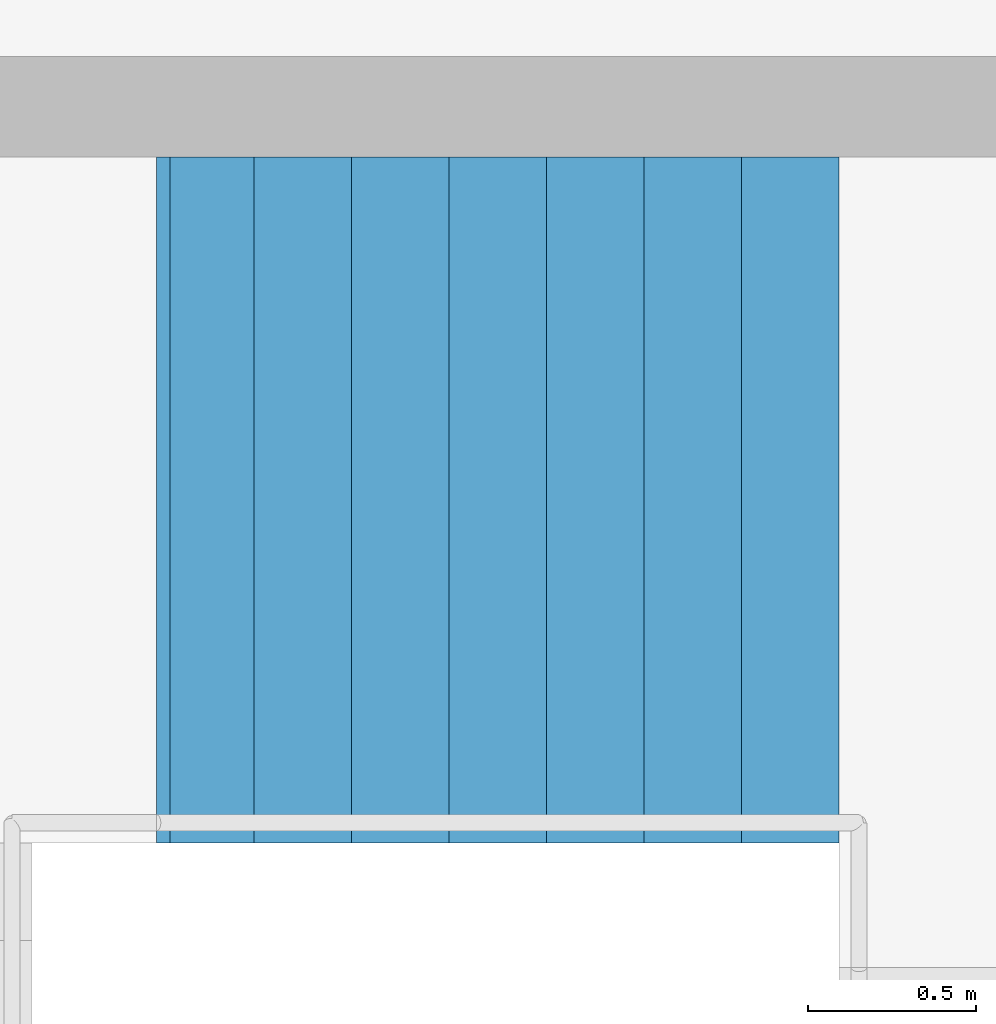
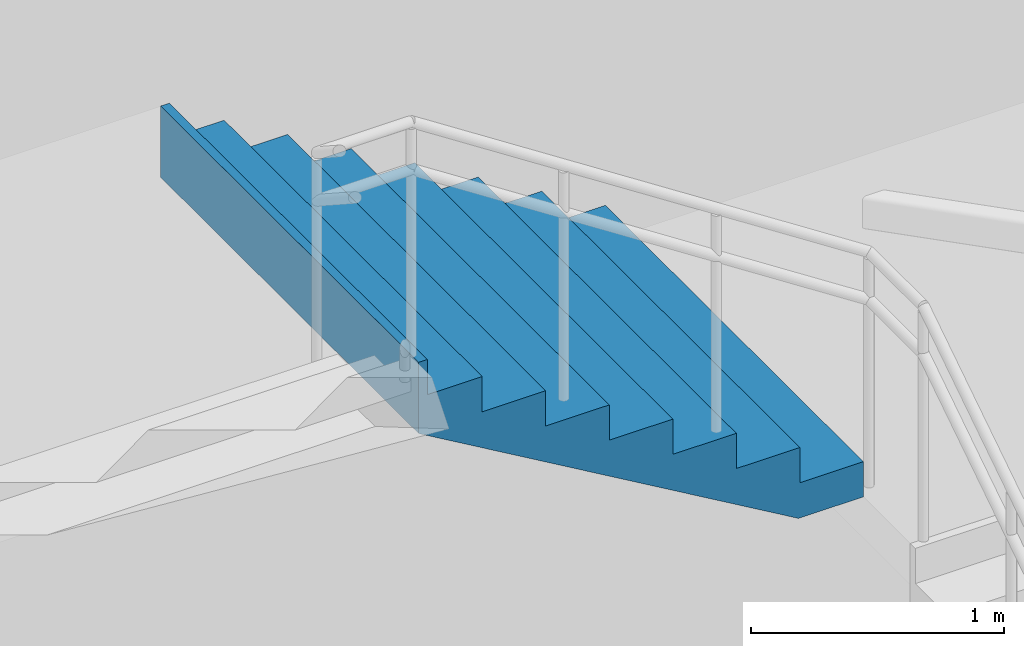
# One storey, part 68 of 72: 1 stair flight, 1 element without a shape of its own.
"""IFC4 building model written with IfcOpenShell, lengths in metres."""

from ifc_helpers import new_model, si_unit, direction, frame, origin, place, context, subcontext, project, spatial, triangles, material, type_object, element, aggregate, save


model = new_model("IFC4")

# Units and contexts
model_context = context("Model", 3, precision=1e-05, world=origin(), true_north=direction((0.0, 1.0)))
body_context = subcontext(model_context, "Body", "Model", "MODEL_VIEW")
ifc_project = project(units=[si_unit("LENGTHUNIT", "METRE"), si_unit("AREAUNIT", "SQUARE_METRE"), si_unit("VOLUMEUNIT", "CUBIC_METRE"), si_unit("PLANEANGLEUNIT", "RADIAN"), si_unit("MASSUNIT", "GRAM", prefix="KILO")], contexts=[model_context])

# Site, building, storey
site_placement = place(None, origin())
site = spatial("IfcSite", under=ifc_project, at=site_placement, CompositionType="ELEMENT")
building_placement = place(site_placement, origin())
building = spatial("IfcBuilding", under=site, at=building_placement, Name="Sillaruma Civic Art Gallery", CompositionType="ELEMENT")
storey_placement = place(building_placement, frame((0.0, 0.0, 10.8798828125)))
storey = spatial("IfcBuildingStorey", under=building, at=storey_placement, Name="L02", CompositionType="ELEMENT", Elevation=10.8798828125)

# Stair, stair flight
ifc_material = material(Name="Concrete H35 (35 MPa)", Category="concrete")
stair_type = type_object("IfcStairType", Name="STR-4F-32", PredefinedType="USERDEFINED", material=ifc_material)
stair_placement = place(storey_placement, origin())
stair = element("IfcStair", 1, at=stair_placement, inside=storey, type_object=stair_type, Name="Protected Exit Stair ST-05 (East Wing) (L02)", ObjectType="THREE_RETURN_STAIR", PredefinedType="USERDEFINED")
stair_flight_type = type_object("IfcStairFlightType", Name="SFL-STR-8", PredefinedType="STRAIGHT", material=ifc_material)
stair_flight_placement = place(storey_placement, frame((146.60009765625, 16.860107421875, 2.72021484375), z_axis=(0.0, 0.0, 1.0), x_axis=(-1.0, 0.0, 0.0)))
stair_flight = element("IfcStairFlight", 2, at=stair_flight_placement, type_object=stair_flight_type, Name="ST-05 flight 3", NumberOfRisers=8, NumberOfTreads=7, PredefinedType="STRAIGHT", RiserHeight=0.17, TreadLength=0.29, context=body_context, shape_type="Tessellation", body=[
    triangles([(0.0, -1.02001953125, 0.0), (0.29, -1.02001953125, 0.0), (0.296443, -1.02001953125, 0.0), (0.58, -1.02001953125, 0.166223), (0.87, -1.02001953125, 0.336223), (1.16, -1.02001953125, 0.506223), (1.45, -1.02001953125, 0.676223), (1.74, -1.02001953125, 0.846223), (1.990029, -1.02001953125, 0.992792), (2.030029, -1.02001953125, 1.01624), (2.030029, -1.02001953125, 1.36), (1.990029, -1.02001953125, 1.36), (1.990029, -1.02001953125, 1.19), (1.74, -1.02001953125, 1.19), (1.74, -1.02001953125, 1.02), (1.45, -1.02001953125, 1.02), (1.45, -1.02001953125, 0.85), (1.16, -1.02001953125, 0.85), (1.16, -1.02001953125, 0.68), (0.87, -1.02001953125, 0.68), (0.87, -1.02001953125, 0.51), (0.58, -1.02001953125, 0.51), (0.58, -1.02001953125, 0.34), (0.296443, -1.02001953125, 0.34), (0.29, -1.02001953125, 0.34), (0.29, -1.02001953125, 0.17), (0.0, -1.02001953125, 0.17), (0.0, -0.05, 0.0), (0.29, -0.05, 0.0), (0.296443, -0.05, 0.0), (0.58, -0.05, 0.166223), (0.87, -0.05, 0.336223), (1.16, -0.05, 0.506223), (1.45, -0.05, 0.676223), (1.74, -0.05, 0.846223), (1.990029, -0.05, 0.992792), (2.030029, -0.05, 1.01624), (2.030029, -0.05, 1.36), (1.990029, -0.05, 1.36), (1.990029, -0.05, 1.19), (1.74, -0.05, 1.19), (1.74, -0.05, 1.02), (1.45, -0.05, 1.02), (1.45, -0.05, 0.85), (1.16, -0.05, 0.85), (1.16, -0.05, 0.68), (0.87, -0.05, 0.68), (0.87, -0.05, 0.51), (0.58, -0.05, 0.51), (0.58, -0.05, 0.34), (0.296443, -0.05, 0.34), (0.29, -0.05, 0.34), (0.29, -0.05, 0.17), (0.0, -0.05, 0.17), (0.0, -0.0375, 0.0), (0.29, -0.0375, 0.0), (0.296443, -0.0375, 0.0), (0.58, -0.0375, 0.166223), (0.87, -0.0375, 0.336223), (1.16, -0.0375, 0.506223), (1.45, -0.0375, 0.676223), (1.74, -0.0375, 0.846223), (1.990029, -0.0375, 0.992792), (2.030029, -0.0375, 1.01624), (2.030029, -0.0375, 1.36), (1.990029, -0.0375, 1.36), (1.990029, -0.0375, 1.19), (1.74, -0.0375, 1.19), (1.74, -0.0375, 1.02), (1.45, -0.0375, 1.02), (1.45, -0.0375, 0.85), (1.16, -0.0375, 0.85), (1.16, -0.0375, 0.68), (0.87, -0.0375, 0.68), (0.87, -0.0375, 0.51), (0.58, -0.0375, 0.51), (0.58, -0.0375, 0.34), (0.296443, -0.0375, 0.34), (0.29, -0.0375, 0.34), (0.29, -0.0375, 0.17), (0.0, -0.0375, 0.17), (0.0, -0.025, 0.0), (0.29, -0.025, 0.0), (0.296443, -0.025, 0.0), (0.58, -0.025, 0.166223), (0.87, -0.025, 0.336223), (1.16, -0.025, 0.506223), (1.45, -0.025, 0.676223), (1.74, -0.025, 0.846223), (1.990029, -0.025, 0.992792), (2.030029, -0.025, 1.01624), (2.030029, -0.025, 1.36), (1.990029, -0.025, 1.36), (1.990029, -0.025, 1.19), (1.74, -0.025, 1.19), (1.74, -0.025, 1.02), (1.45, -0.025, 1.02), (1.45, -0.025, 0.85), (1.16, -0.025, 0.85), (1.16, -0.025, 0.68), (0.87, -0.025, 0.68), (0.87, -0.025, 0.51), (0.58, -0.025, 0.51), (0.58, -0.025, 0.34), (0.296443, -0.025, 0.34), (0.29, -0.025, 0.34), (0.29, -0.025, 0.17), (0.0, -0.025, 0.17), (0.0, -0.0125, 0.0), (0.29, -0.0125, 0.0), (0.296443, -0.0125, 0.0), (0.58, -0.0125, 0.166223), (0.87, -0.0125, 0.336223), (1.16, -0.0125, 0.506223), (1.45, -0.0125, 0.676223), (1.74, -0.0125, 0.846223), (1.990029, -0.0125, 0.992792), (2.030029, -0.0125, 1.01624), (2.030029, -0.0125, 1.36), (1.990029, -0.0125, 1.36), (1.990029, -0.0125, 1.19), (1.74, -0.0125, 1.19), (1.74, -0.0125, 1.02), (1.45, -0.0125, 1.02), (1.45, -0.0125, 0.85), (1.16, -0.0125, 0.85), (1.16, -0.0125, 0.68), (0.87, -0.0125, 0.68), (0.87, -0.0125, 0.51), (0.58, -0.0125, 0.51), (0.58, -0.0125, 0.34), (0.296443, -0.0125, 0.34), (0.29, -0.0125, 0.34), (0.29, -0.0125, 0.17), (0.0, -0.0125, 0.17), (0.0, 0.0, 0.0), (0.29, 0.0, 0.0), (0.296443, 0.0, 0.0), (0.58, 0.0, 0.166223), (0.87, 0.0, 0.336223), (1.16, 0.0, 0.506223), (1.45, 0.0, 0.676223), (1.74, 0.0, 0.846223), (1.990029, 0.0, 0.992792), (2.030029, 0.0, 1.01624), (2.030029, 0.0, 1.36), (1.990029, 0.0, 1.36), (1.990029, 0.0, 1.19), (1.74, 0.0, 1.19), (1.74, 0.0, 1.02), (1.45, 0.0, 1.02), (1.45, 0.0, 0.85), (1.16, 0.0, 0.85), (1.16, 0.0, 0.68), (0.87, 0.0, 0.68), (0.87, 0.0, 0.51), (0.58, 0.0, 0.51), (0.58, 0.0, 0.34), (0.296443, 0.0, 0.34), (0.29, 0.0, 0.34), (0.29, 0.0, 0.17), (0.0, 0.0, 0.17), (0.0, 0.0125, 0.0), (0.29, 0.0125, 0.0), (0.296443, 0.0125, 0.0), (0.58, 0.0125, 0.166223), (0.87, 0.0125, 0.336223), (1.16, 0.0125, 0.506223), (1.45, 0.0125, 0.676223), (1.74, 0.0125, 0.846223), (1.990029, 0.0125, 0.992792), (2.030029, 0.0125, 1.01624), (2.030029, 0.0125, 1.36), (1.990029, 0.0125, 1.36), (1.990029, 0.0125, 1.19), (1.74, 0.0125, 1.19), (1.74, 0.0125, 1.02), (1.45, 0.0125, 1.02), (1.45, 0.0125, 0.85), (1.16, 0.0125, 0.85), (1.16, 0.0125, 0.68), (0.87, 0.0125, 0.68), (0.87, 0.0125, 0.51), (0.58, 0.0125, 0.51), (0.58, 0.0125, 0.34), (0.296443, 0.0125, 0.34), (0.29, 0.0125, 0.34), (0.29, 0.0125, 0.17), (0.0, 0.0125, 0.17), (0.0, 0.025, 0.0), (0.29, 0.025, 0.0), (0.296443, 0.025, 0.0), (0.58, 0.025, 0.166223), (0.87, 0.025, 0.336223), (1.16, 0.025, 0.506223), (1.45, 0.025, 0.676223), (1.74, 0.025, 0.846223), (1.990029, 0.025, 0.992792), (2.030029, 0.025, 1.01624), (2.030029, 0.025, 1.36), (1.990029, 0.025, 1.36), (1.990029, 0.025, 1.19), (1.74, 0.025, 1.19), (1.74, 0.025, 1.02), (1.45, 0.025, 1.02), (1.45, 0.025, 0.85), (1.16, 0.025, 0.85), (1.16, 0.025, 0.68), (0.87, 0.025, 0.68), (0.87, 0.025, 0.51), (0.58, 0.025, 0.51), (0.58, 0.025, 0.34), (0.296443, 0.025, 0.34), (0.29, 0.025, 0.34), (0.29, 0.025, 0.17), (0.0, 0.025, 0.17), (0.0, 0.0375, 0.0), (0.29, 0.0375, 0.0), (0.296443, 0.0375, 0.0), (0.58, 0.0375, 0.166223), (0.87, 0.0375, 0.336223), (1.16, 0.0375, 0.506223), (1.45, 0.0375, 0.676223), (1.74, 0.0375, 0.846223), (1.990029, 0.0375, 0.992792), (2.030029, 0.0375, 1.01624), (2.030029, 0.0375, 1.36), (1.990029, 0.0375, 1.36), (1.990029, 0.0375, 1.19), (1.74, 0.0375, 1.19), (1.74, 0.0375, 1.02), (1.45, 0.0375, 1.02), (1.45, 0.0375, 0.85), (1.16, 0.0375, 0.85), (1.16, 0.0375, 0.68), (0.87, 0.0375, 0.68), (0.87, 0.0375, 0.51), (0.58, 0.0375, 0.51), (0.58, 0.0375, 0.34), (0.296443, 0.0375, 0.34), (0.29, 0.0375, 0.34), (0.29, 0.0375, 0.17), (0.0, 0.0375, 0.17), (0.0, 0.05, 0.0), (0.29, 0.05, 0.0), (0.296443, 0.05, 0.0), (0.58, 0.05, 0.166223), (0.87, 0.05, 0.336223), (1.16, 0.05, 0.506223), (1.45, 0.05, 0.676223), (1.74, 0.05, 0.846223), (1.990029, 0.05, 0.992792), (2.030029, 0.05, 1.01624), (2.030029, 0.05, 1.36), (1.990029, 0.05, 1.36), (1.990029, 0.05, 1.19), (1.74, 0.05, 1.19), (1.74, 0.05, 1.02), (1.45, 0.05, 1.02), (1.45, 0.05, 0.85), (1.16, 0.05, 0.85), (1.16, 0.05, 0.68), (0.87, 0.05, 0.68), (0.87, 0.05, 0.51), (0.58, 0.05, 0.51), (0.58, 0.05, 0.34), (0.296443, 0.05, 0.34), (0.29, 0.05, 0.34), (0.29, 0.05, 0.17), (0.0, 0.05, 0.17), (0.0, 1.02001953125, 0.0), (0.29, 1.02001953125, 0.0), (0.296443, 1.02001953125, 0.0), (0.58, 1.02001953125, 0.166223), (0.87, 1.02001953125, 0.336223), (1.16, 1.02001953125, 0.506223), (1.45, 1.02001953125, 0.676223), (1.74, 1.02001953125, 0.846223), (1.990029, 1.02001953125, 0.992792), (2.030029, 1.02001953125, 1.01624), (2.030029, 1.02001953125, 1.36), (1.990029, 1.02001953125, 1.36), (1.990029, 1.02001953125, 1.19), (1.74, 1.02001953125, 1.19), (1.74, 1.02001953125, 1.02), (1.45, 1.02001953125, 1.02), (1.45, 1.02001953125, 0.85), (1.16, 1.02001953125, 0.85), (1.16, 1.02001953125, 0.68), (0.87, 1.02001953125, 0.68), (0.87, 1.02001953125, 0.51), (0.58, 1.02001953125, 0.51), (0.58, 1.02001953125, 0.34), (0.296443, 1.02001953125, 0.34), (0.29, 1.02001953125, 0.34), (0.29, 1.02001953125, 0.17), (0.0, 1.02001953125, 0.17)], [[1, 2, 26], [1, 26, 27], [2, 3, 24], [2, 24, 26], [26, 24, 25], [3, 4, 23], [3, 23, 24], [4, 5, 21], [4, 21, 23], [23, 21, 22], [5, 6, 19], [5, 19, 21], [21, 19, 20], [6, 7, 17], [6, 17, 19], [19, 17, 18], [7, 8, 15], [7, 15, 17], [17, 15, 16], [8, 9, 13], [8, 13, 15], [15, 13, 14], [9, 10, 11], [9, 11, 13], [13, 11, 12], [296, 272, 271], [297, 296, 271], [294, 273, 272], [296, 294, 272], [295, 294, 296], [293, 274, 273], [294, 293, 273], [291, 275, 274], [293, 291, 274], [292, 291, 293], [289, 276, 275], [291, 289, 275], [290, 289, 291], [287, 277, 276], [289, 287, 276], [288, 287, 289], [285, 278, 277], [287, 285, 277], [286, 285, 287], [283, 279, 278], [285, 283, 278], [284, 283, 285], [281, 280, 279], [283, 281, 279], [282, 281, 283], [2, 1, 28], [2, 28, 29], [3, 2, 29], [3, 29, 30], [4, 3, 30], [4, 30, 31], [5, 4, 31], [5, 31, 32], [6, 5, 32], [6, 32, 33], [7, 6, 33], [7, 33, 34], [8, 7, 34], [8, 34, 35], [9, 8, 35], [9, 35, 36], [10, 9, 36], [10, 36, 37], [11, 10, 37], [11, 37, 38], [12, 11, 38], [12, 38, 39], [13, 12, 39], [13, 39, 40], [14, 13, 40], [14, 40, 41], [15, 14, 41], [15, 41, 42], [16, 15, 42], [16, 42, 43], [17, 16, 43], [17, 43, 44], [18, 17, 44], [18, 44, 45], [19, 18, 45], [19, 45, 46], [20, 19, 46], [20, 46, 47], [21, 20, 47], [21, 47, 48], [22, 21, 48], [22, 48, 49], [23, 22, 49], [23, 49, 50], [24, 23, 50], [24, 50, 51], [25, 24, 51], [25, 51, 52], [26, 25, 52], [26, 52, 53], [27, 26, 53], [27, 53, 54], [1, 27, 54], [1, 54, 28], [29, 28, 55], [29, 55, 56], [30, 29, 56], [30, 56, 57], [31, 30, 57], [31, 57, 58], [32, 31, 58], [32, 58, 59], [33, 32, 59], [33, 59, 60], [34, 33, 60], [34, 60, 61], [35, 34, 61], [35, 61, 62], [36, 35, 62], [36, 62, 63], [37, 36, 63], [37, 63, 64], [38, 37, 64], [38, 64, 65], [39, 38, 65], [39, 65, 66], [40, 39, 66], [40, 66, 67], [41, 40, 67], [41, 67, 68], [42, 41, 68], [42, 68, 69], [43, 42, 69], [43, 69, 70], [44, 43, 70], [44, 70, 71], [45, 44, 71], [45, 71, 72], [46, 45, 72], [46, 72, 73], [47, 46, 73], [47, 73, 74], [48, 47, 74], [48, 74, 75], [49, 48, 75], [49, 75, 76], [50, 49, 76], [50, 76, 77], [51, 50, 77], [51, 77, 78], [52, 51, 78], [52, 78, 79], [53, 52, 79], [53, 79, 80], [54, 53, 80], [54, 80, 81], [28, 54, 81], [28, 81, 55], [56, 55, 82], [56, 82, 83], [57, 56, 83], [57, 83, 84], [58, 57, 84], [58, 84, 85], [59, 58, 85], [59, 85, 86], [60, 59, 86], [60, 86, 87], [61, 60, 87], [61, 87, 88], [62, 61, 88], [62, 88, 89], [63, 62, 89], [63, 89, 90], [64, 63, 90], [64, 90, 91], [65, 64, 91], [65, 91, 92], [66, 65, 92], [66, 92, 93], [67, 66, 93], [67, 93, 94], [68, 67, 94], [68, 94, 95], [69, 68, 95], [69, 95, 96], [70, 69, 96], [70, 96, 97], [71, 70, 97], [71, 97, 98], [72, 71, 98], [72, 98, 99], [73, 72, 99], [73, 99, 100], [74, 73, 100], [74, 100, 101], [75, 74, 101], [75, 101, 102], [76, 75, 102], [76, 102, 103], [77, 76, 103], [77, 103, 104], [78, 77, 104], [78, 104, 105], [79, 78, 105], [79, 105, 106], [80, 79, 106], [80, 106, 107], [81, 80, 107], [81, 107, 108], [55, 81, 108], [55, 108, 82], [83, 82, 109], [83, 109, 110], [84, 83, 110], [84, 110, 111], [85, 84, 111], [85, 111, 112], [86, 85, 112], [86, 112, 113], [87, 86, 113], [87, 113, 114], [88, 87, 114], [88, 114, 115], [89, 88, 115], [89, 115, 116], [90, 89, 116], [90, 116, 117], [91, 90, 117], [91, 117, 118], [92, 91, 118], [92, 118, 119], [93, 92, 119], [93, 119, 120], [94, 93, 120], [94, 120, 121], [95, 94, 121], [95, 121, 122], [96, 95, 122], [96, 122, 123], [97, 96, 123], [97, 123, 124], [98, 97, 124], [98, 124, 125], [99, 98, 125], [99, 125, 126], [100, 99, 126], [100, 126, 127], [101, 100, 127], [101, 127, 128], [102, 101, 128], [102, 128, 129], [103, 102, 129], [103, 129, 130], [104, 103, 130], [104, 130, 131], [105, 104, 131], [105, 131, 132], [106, 105, 132], [106, 132, 133], [107, 106, 133], [107, 133, 134], [108, 107, 134], [108, 134, 135], [82, 108, 135], [82, 135, 109], [110, 109, 136], [110, 136, 137], [111, 110, 137], [111, 137, 138], [112, 111, 138], [112, 138, 139], [113, 112, 139], [113, 139, 140], [114, 113, 140], [114, 140, 141], [115, 114, 141], [115, 141, 142], [116, 115, 142], [116, 142, 143], [117, 116, 143], [117, 143, 144], [118, 117, 144], [118, 144, 145], [119, 118, 145], [119, 145, 146], [120, 119, 146], [120, 146, 147], [121, 120, 147], [121, 147, 148], [122, 121, 148], [122, 148, 149], [123, 122, 149], [123, 149, 150], [124, 123, 150], [124, 150, 151], [125, 124, 151], [125, 151, 152], [126, 125, 152], [126, 152, 153], [127, 126, 153], [127, 153, 154], [128, 127, 154], [128, 154, 155], [129, 128, 155], [129, 155, 156], [130, 129, 156], [130, 156, 157], [131, 130, 157], [131, 157, 158], [132, 131, 158], [132, 158, 159], [133, 132, 159], [133, 159, 160], [134, 133, 160], [134, 160, 161], [135, 134, 161], [135, 161, 162], [109, 135, 162], [109, 162, 136], [137, 136, 163], [137, 163, 164], [138, 137, 164], [138, 164, 165], [139, 138, 165], [139, 165, 166], [140, 139, 166], [140, 166, 167], [141, 140, 167], [141, 167, 168], [142, 141, 168], [142, 168, 169], [143, 142, 169], [143, 169, 170], [144, 143, 170], [144, 170, 171], [145, 144, 171], [145, 171, 172], [146, 145, 172], [146, 172, 173], [147, 146, 173], [147, 173, 174], [148, 147, 174], [148, 174, 175], [149, 148, 175], [149, 175, 176], [150, 149, 176], [150, 176, 177], [151, 150, 177], [151, 177, 178], [152, 151, 178], [152, 178, 179], [153, 152, 179], [153, 179, 180], [154, 153, 180], [154, 180, 181], [155, 154, 181], [155, 181, 182], [156, 155, 182], [156, 182, 183], [157, 156, 183], [157, 183, 184], [158, 157, 184], [158, 184, 185], [159, 158, 185], [159, 185, 186], [160, 159, 186], [160, 186, 187], [161, 160, 187], [161, 187, 188], [162, 161, 188], [162, 188, 189], [136, 162, 189], [136, 189, 163], [164, 163, 190], [164, 190, 191], [165, 164, 191], [165, 191, 192], [166, 165, 192], [166, 192, 193], [167, 166, 193], [167, 193, 194], [168, 167, 194], [168, 194, 195], [169, 168, 195], [169, 195, 196], [170, 169, 196], [170, 196, 197], [171, 170, 197], [171, 197, 198], [172, 171, 198], [172, 198, 199], [173, 172, 199], [173, 199, 200], [174, 173, 200], [174, 200, 201], [175, 174, 201], [175, 201, 202], [176, 175, 202], [176, 202, 203], [177, 176, 203], [177, 203, 204], [178, 177, 204], [178, 204, 205], [179, 178, 205], [179, 205, 206], [180, 179, 206], [180, 206, 207], [181, 180, 207], [181, 207, 208], [182, 181, 208], [182, 208, 209], [183, 182, 209], [183, 209, 210], [184, 183, 210], [184, 210, 211], [185, 184, 211], [185, 211, 212], [186, 185, 212], [186, 212, 213], [187, 186, 213], [187, 213, 214], [188, 187, 214], [188, 214, 215], [189, 188, 215], [189, 215, 216], [163, 189, 216], [163, 216, 190], [191, 190, 217], [191, 217, 218], [192, 191, 218], [192, 218, 219], [193, 192, 219], [193, 219, 220], [194, 193, 220], [194, 220, 221], [195, 194, 221], [195, 221, 222], [196, 195, 222], [196, 222, 223], [197, 196, 223], [197, 223, 224], [198, 197, 224], [198, 224, 225], [199, 198, 225], [199, 225, 226], [200, 199, 226], [200, 226, 227], [201, 200, 227], [201, 227, 228], [202, 201, 228], [202, 228, 229], [203, 202, 229], [203, 229, 230], [204, 203, 230], [204, 230, 231], [205, 204, 231], [205, 231, 232], [206, 205, 232], [206, 232, 233], [207, 206, 233], [207, 233, 234], [208, 207, 234], [208, 234, 235], [209, 208, 235], [209, 235, 236], [210, 209, 236], [210, 236, 237], [211, 210, 237], [211, 237, 238], [212, 211, 238], [212, 238, 239], [213, 212, 239], [213, 239, 240], [214, 213, 240], [214, 240, 241], [215, 214, 241], [215, 241, 242], [216, 215, 242], [216, 242, 243], [190, 216, 243], [190, 243, 217], [218, 217, 244], [218, 244, 245], [219, 218, 245], [219, 245, 246], [220, 219, 246], [220, 246, 247], [221, 220, 247], [221, 247, 248], [222, 221, 248], [222, 248, 249], [223, 222, 249], [223, 249, 250], [224, 223, 250], [224, 250, 251], [225, 224, 251], [225, 251, 252], [226, 225, 252], [226, 252, 253], [227, 226, 253], [227, 253, 254], [228, 227, 254], [228, 254, 255], [229, 228, 255], [229, 255, 256], [230, 229, 256], [230, 256, 257], [231, 230, 257], [231, 257, 258], [232, 231, 258], [232, 258, 259], [233, 232, 259], [233, 259, 260], [234, 233, 260], [234, 260, 261], [235, 234, 261], [235, 261, 262], [236, 235, 262], [236, 262, 263], [237, 236, 263], [237, 263, 264], [238, 237, 264], [238, 264, 265], [239, 238, 265], [239, 265, 266], [240, 239, 266], [240, 266, 267], [241, 240, 267], [241, 267, 268], [242, 241, 268], [242, 268, 269], [243, 242, 269], [243, 269, 270], [217, 243, 270], [217, 270, 244], [245, 244, 271], [245, 271, 272], [246, 245, 272], [246, 272, 273], [247, 246, 273], [247, 273, 274], [248, 247, 274], [248, 274, 275], [249, 248, 275], [249, 275, 276], [250, 249, 276], [250, 276, 277], [251, 250, 277], [251, 277, 278], [252, 251, 278], [252, 278, 279], [253, 252, 279], [253, 279, 280], [254, 253, 280], [254, 280, 281], [255, 254, 281], [255, 281, 282], [256, 255, 282], [256, 282, 283], [257, 256, 283], [257, 283, 284], [258, 257, 284], [258, 284, 285], [259, 258, 285], [259, 285, 286], [260, 259, 286], [260, 286, 287], [261, 260, 287], [261, 287, 288], [262, 261, 288], [262, 288, 289], [263, 262, 289], [263, 289, 290], [264, 263, 290], [264, 290, 291], [265, 264, 291], [265, 291, 292], [266, 265, 292], [266, 292, 293], [267, 266, 293], [267, 293, 294], [268, 267, 294], [268, 294, 295], [269, 268, 295], [269, 295, 296], [270, 269, 296], [270, 296, 297], [244, 270, 297], [244, 297, 271]], closed=True),
])
aggregate(stair, [stair_flight])

save(model, "model.ifc")
